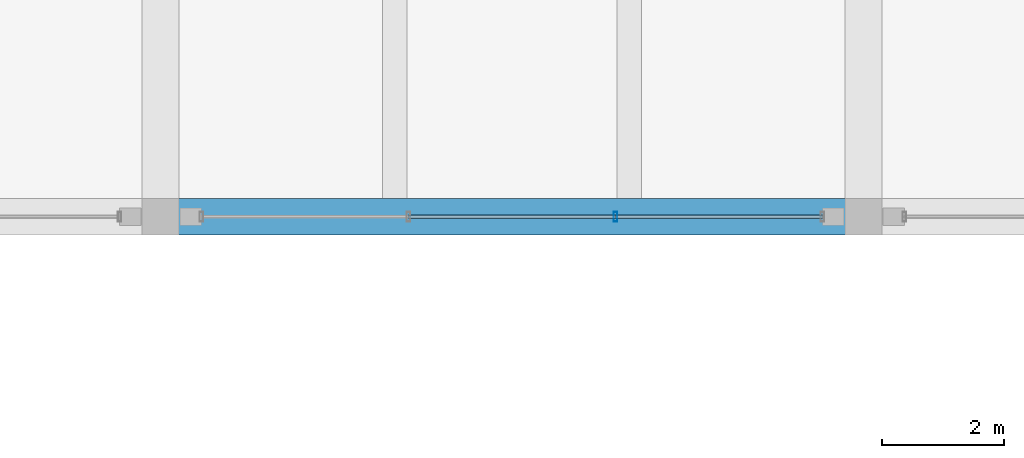
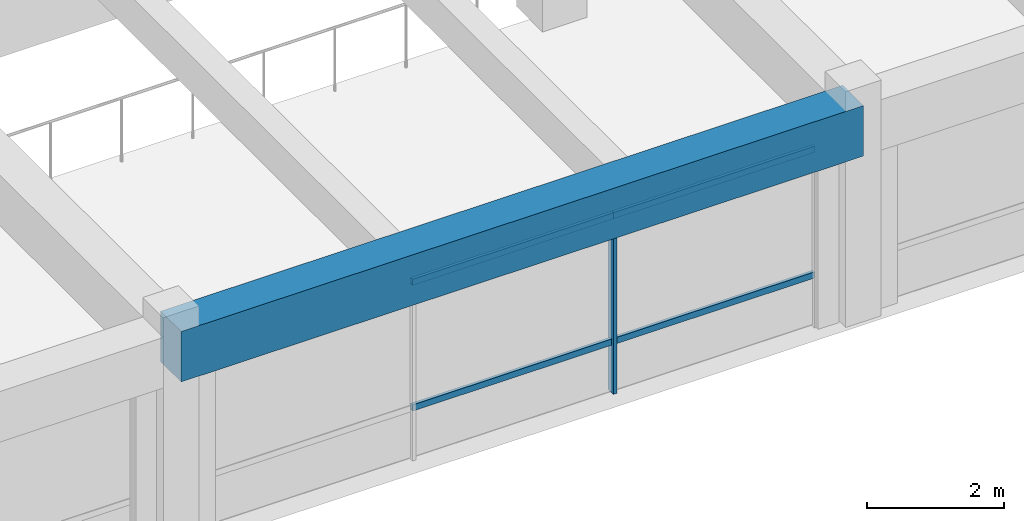
# One storey, part 48 of 98: 5 members, 1 beam, 1 element without a shape of its own.
"""IFC4 building model written with IfcOpenShell, lengths in metres."""

from ifc_helpers import new_model, si_unit, direction, frame, origin, origin_2d, place, context, subcontext, project, spatial, rectangle, hollow_rectangle, extrude, material, material_profile, profile_set, type_object, element, aggregate, save


model = new_model("IFC4")

# Units and contexts
model_context = context("Model", 3, precision=1e-05, world=origin(), true_north=direction((0.0, 1.0)))
body_context = subcontext(model_context, "Body", "Model", "MODEL_VIEW")
ifc_project = project(units=[si_unit("LENGTHUNIT", "METRE"), si_unit("AREAUNIT", "SQUARE_METRE"), si_unit("VOLUMEUNIT", "CUBIC_METRE"), si_unit("PLANEANGLEUNIT", "RADIAN"), si_unit("MASSUNIT", "GRAM", prefix="KILO")], contexts=[model_context])

# Site, building, storey
site_placement = place(None, origin())
site = spatial("IfcSite", under=ifc_project, at=site_placement, CompositionType="ELEMENT")
building_placement = place(site_placement, origin())
building = spatial("IfcBuilding", under=site, at=building_placement, Name="Ologun Quay Terminus", CompositionType="ELEMENT")
storey_placement = place(building_placement, frame((0.0, 0.0, 4.199951171875)))
storey = spatial("IfcBuildingStorey", under=building, at=storey_placement, Name="L01", CompositionType="ELEMENT", Elevation=4.199951171875)

# Curtain wall, members
ifc_material_1 = material(Name="Aluminium 6063-T6", Category="aluminium")
curtain_wall_type = type_object("IfcCurtainWallType", Name="Forecourt Mezzanine Curtain Wall 10700x3850", PredefinedType="USERDEFINED", material=ifc_material_1)
curtain_wall_placement = place(storey_placement, origin())
curtain_wall = element("IfcCurtainWall", 1, at=curtain_wall_placement, inside=storey, type_object=curtain_wall_type, Name="CW-04 Curtain Wall CW-L01-018", ObjectType="UNITISED CURTAIN WALL", PredefinedType="USERDEFINED")
ifc_material_2 = material(Name="Aluminium 6063-T6", Category="aluminium")
ifc_material_profile_1 = material_profile(ifc_material_2, hollow_rectangle(XDim=0.06005859375, YDim=0.159912109375, WallThickness=0.00390625, at=origin_2d()), Name="ALU 160x60x4")
ifc_profile_set_1 = profile_set([ifc_material_profile_1], Name="Aluminium 6063-T6")
member_type_1 = type_object("IfcMemberType", Name="Curtain Wall Standard Mullion 160x65", PredefinedType="MULLION", material=ifc_profile_set_1)
member_1_placement = place(storey_placement, frame((156.943359375, 27.199951171875, 0.0), z_axis=(0.0, 0.0, 1.0), x_axis=(1.0, 0.0, 0.0)))
member_1 = element("IfcMember", 2, at=member_1_placement, type_object=member_type_1, Name="CW-L01-018 Mullion 3", PredefinedType="MULLION", context=body_context, shape_type="SweptSolid", body=[
    extrude(hollow_rectangle(XDim=0.06005859375, YDim=0.159912109375, WallThickness=0.00390625, at=origin_2d()), origin(), (0.0, 0.0, 1.0), 3.840087890625),
])
ifc_material_3 = material(Name="Aluminium 6063-T6", Category="aluminium")
ifc_material_profile_2 = material_profile(ifc_material_3, hollow_rectangle(XDim=0.054931640625, YDim=0.110107421875, WallThickness=0.00390625, at=origin_2d()), Name="ALU 110x55x4")
ifc_profile_set_2 = profile_set([ifc_material_profile_2], Name="Aluminium 6063-T6")
member_type_2 = type_object("IfcMemberType", Name="Curtain Wall Standard Transom 110x55", PredefinedType="USERDEFINED", material=ifc_profile_set_2)
member_2_placement = place(storey_placement, frame((153.556640625, 27.199951171875, 0.900146484375), z_axis=(1.0, 0.0, 0.0), x_axis=(0.0, 1.0, 0.0)))
member_2 = element("IfcMember", 3, at=member_2_placement, type_object=member_type_2, Name="CW-L01-018 Transom B2-1", ObjectType="TRANSOM", PredefinedType="USERDEFINED", context=body_context, shape_type="SweptSolid", body=[
    extrude(hollow_rectangle(XDim=0.054931640625, YDim=0.110107421875, WallThickness=0.00390625, at=origin_2d()), origin(), (0.0, 0.0, 1.0), 3.38671875),
])
member_3_placement = place(storey_placement, frame((153.556640625, 27.199951171875, 3.14013671875), z_axis=(1.0, 0.0, 0.0), x_axis=(0.0, 1.0, 0.0)))
member_3 = element("IfcMember", 4, at=member_3_placement, type_object=member_type_2, Name="CW-L01-018 Transom B2-2", ObjectType="TRANSOM", PredefinedType="USERDEFINED", context=body_context, shape_type="SweptSolid", body=[
    extrude(hollow_rectangle(XDim=0.054931640625, YDim=0.110107421875, WallThickness=0.00390625, at=origin_2d()), origin(), (0.0, 0.0, 1.0), 3.38671875),
])
member_4_placement = place(storey_placement, frame((156.943359375, 27.199951171875, 0.900146484375), z_axis=(1.0, 0.0, 0.0), x_axis=(0.0, 1.0, 0.0)))
member_4 = element("IfcMember", 5, at=member_4_placement, type_object=member_type_2, Name="CW-L01-018 Transom B3-1", ObjectType="TRANSOM", PredefinedType="USERDEFINED", context=body_context, shape_type="SweptSolid", body=[
    extrude(hollow_rectangle(XDim=0.054931640625, YDim=0.110107421875, WallThickness=0.00390625, at=origin_2d()), origin(), (0.0, 0.0, 1.0), 3.38671875),
])
member_5_placement = place(storey_placement, frame((156.943359375, 27.199951171875, 3.14013671875), z_axis=(1.0, 0.0, 0.0), x_axis=(0.0, 1.0, 0.0)))
member_5 = element("IfcMember", 6, at=member_5_placement, type_object=member_type_2, Name="CW-L01-018 Transom B3-2", ObjectType="TRANSOM", PredefinedType="USERDEFINED", context=body_context, shape_type="SweptSolid", body=[
    extrude(hollow_rectangle(XDim=0.054931640625, YDim=0.110107421875, WallThickness=0.00390625, at=origin_2d()), origin(), (0.0, 0.0, 1.0), 3.38671875),
])
aggregate(curtain_wall, [member_1, member_2, member_3, member_4, member_5])

# Beam
ifc_material_4 = material(Name="Concrete C40/50", Category="concrete")
ifc_material_profile_3 = material_profile(ifc_material_4, rectangle(XDim=0.60009765625, YDim=0.89990234375, at=origin_2d()), Name="RC 600x900")
ifc_profile_set_3 = profile_set([ifc_material_profile_3], Name="Concrete C40/50")
beam_type = type_object("IfcBeamType", Name="Station Frame Girder 600x900", PredefinedType="BEAM", material=ifc_profile_set_3)
beam_placement = place(storey_placement, frame((149.5, 27.199951171875, 3.400146484375), z_axis=(1.0, 0.0, 0.0), x_axis=(0.0, 1.0, 0.0)))
element("IfcBeam", 7, at=beam_placement, inside=storey, type_object=beam_type, Name="B3 Beam 14/D L01", PredefinedType="BEAM", context=body_context, shape_type="SweptSolid", body=[
    extrude(rectangle(XDim=0.60009765625, YDim=0.89990234375, at=origin_2d()), origin(), (0.0, 0.0, 1.0), 11.5),
])

save(model, "model.ifc")
